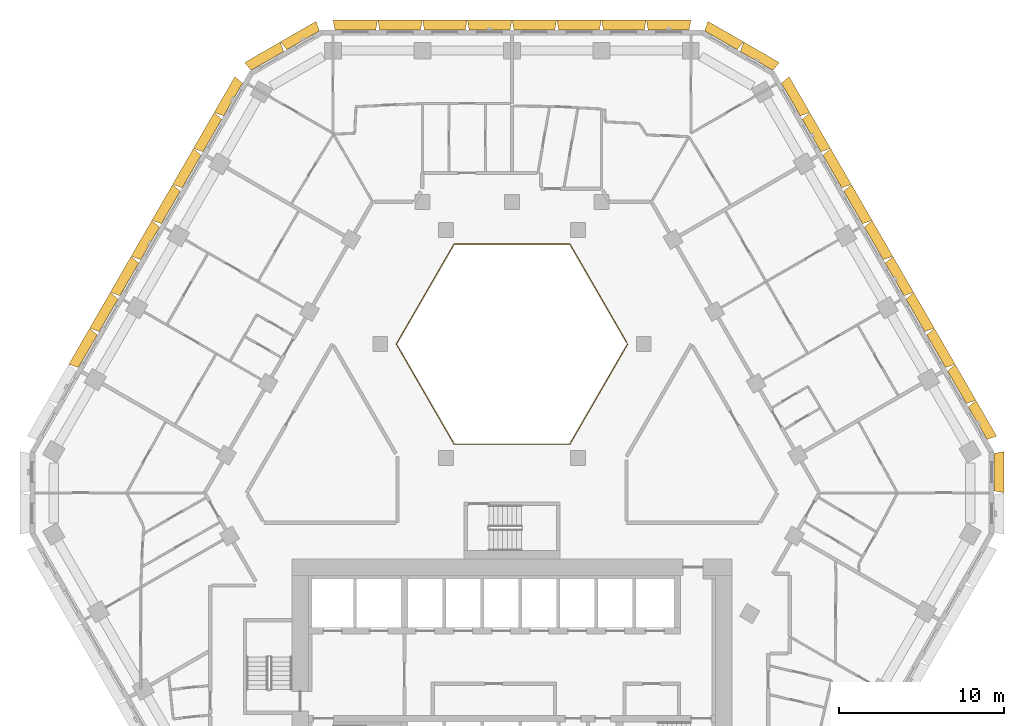
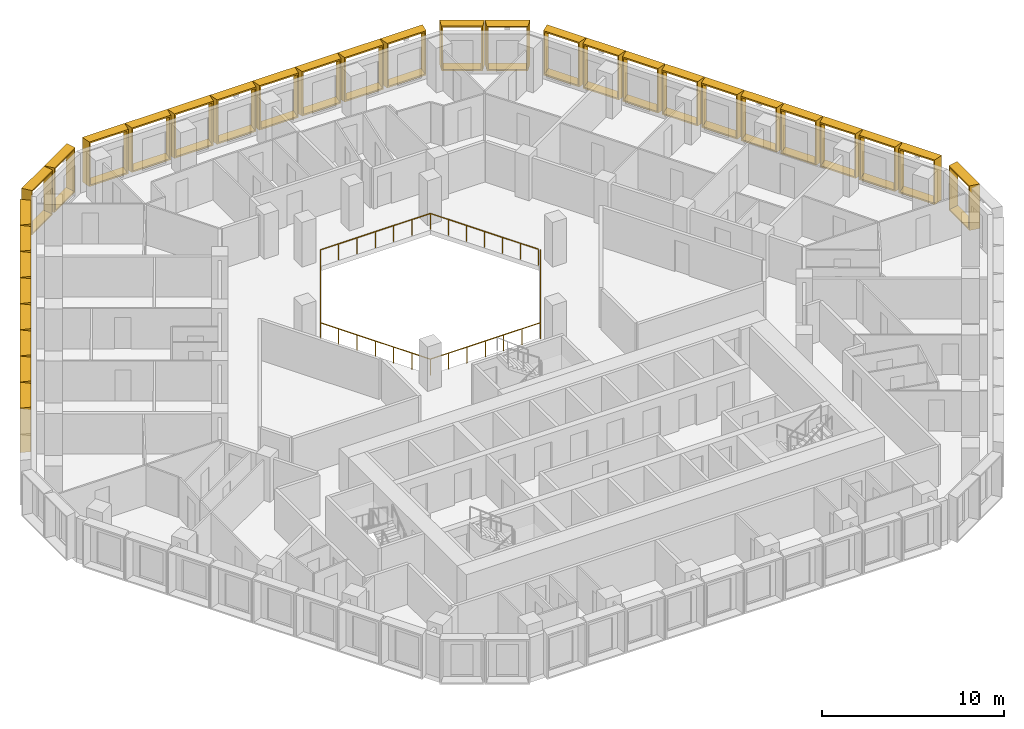
# One storey, part 18 of 18: 31 shading devices, 1 railing.
"""IFC4 building model written with IfcOpenShell, lengths in metres."""

from ifc_helpers import new_model, entity, si_unit, direction, frame, origin, origin_2d, place, context, subcontext, project, spatial, rectangle, extrude, source, transform, mapped, material, type_object, type_shapes, element, save


model = new_model("IFC4")

# Units and contexts
model_context = context("Model", 3, precision=1e-05, world=origin(), true_north=direction((0.0, 1.0)))
body_context = subcontext(model_context, "Body", "Model", "MODEL_VIEW")
ifc_project = project(units=[si_unit("LENGTHUNIT", "METRE"), si_unit("AREAUNIT", "SQUARE_METRE"), si_unit("VOLUMEUNIT", "CUBIC_METRE"), si_unit("PLANEANGLEUNIT", "RADIAN"), si_unit("MASSUNIT", "GRAM", prefix="KILO")], contexts=[model_context])

# Site, building, storey
site_placement = place(None, origin())
site = spatial("IfcSite", under=ifc_project, at=site_placement, CompositionType="ELEMENT")
building_placement = place(site_placement, origin())
building = spatial("IfcBuilding", under=site, at=building_placement, Name="Beryl Residences", CompositionType="ELEMENT")
storey_placement = place(building_placement, frame((0.0, 0.0, 81.0)))
storey = spatial("IfcBuildingStorey", under=building, at=storey_placement, Name="L24", CompositionType="ELEMENT", Elevation=81.0)

# Railing
ifc_material_1 = material(Name="Stainless steel balustrade with glass infill", Category="steel")
railing_type = type_object("IfcRailingType", Name="EG1 edge guard 1100 mm", PredefinedType="GUARDRAIL", material=ifc_material_1)
railing_placement = place(storey_placement, frame((6.9970703125, 8.0, 0.0)))
element("IfcRailing", 1, at=railing_placement, inside=storey, type_object=railing_type, Name="L24 atrium guard", PredefinedType="GUARDRAIL", context=body_context, shape_type="SweptSolid", body=[
    extrude(rectangle(XDim=0.048095703125, YDim=0.048095703125, at=origin_2d()), frame((0.0, 0.0, 1.076171875), z_axis=(-0.499921796684, -0.866070549782, 0.0), x_axis=(0.866070549782, -0.499921796684, 0.0)), (0.0, 0.0, 1.0), 6.9970703125),
    extrude(rectangle(XDim=0.048095703125, YDim=0.048095703125, at=origin_2d()), frame((-3.498046875, -6.06005859375, 1.076171875), z_axis=(-1.0, 0.0, 0.0), x_axis=(0.0, -1.0, 0.0)), (0.0, 0.0, 1.0), 6.998046875),
    extrude(rectangle(XDim=0.048095703125, YDim=0.048095703125, at=origin_2d()), frame((-10.49609375, -6.06005859375, 1.076171875), z_axis=(-0.499921796684, 0.866070549782, 0.0), x_axis=(-0.866070549782, -0.499921796684, 0.0)), (0.0, 0.0, 1.0), 6.9970703125),
    extrude(rectangle(XDim=0.048095703125, YDim=0.048095703125, at=origin_2d()), frame((-13.994140625, 0.0, 1.076171875), z_axis=(0.499921796684, 0.866070549782, 0.0), x_axis=(-0.866070549782, 0.499921796684, 0.0)), (0.0, 0.0, 1.0), 6.9970703125),
    extrude(rectangle(XDim=0.048095703125, YDim=0.048095703125, at=origin_2d()), frame((-10.49609375, 6.06005859375, 1.076171875), z_axis=(1.0, 0.0, 0.0), x_axis=(0.0, 1.0, 0.0)), (0.0, 0.0, 1.0), 6.998046875),
    extrude(rectangle(XDim=0.048095703125, YDim=0.048095703125, at=origin_2d()), frame((-3.498046875, 6.06005859375, 1.076171875), z_axis=(0.499919131929, -0.866072087953, 0.0), x_axis=(0.866072087953, 0.499919131929, 0.0)), (0.0, 0.0, 1.0), 6.877197265625),
    extrude(rectangle(XDim=0.0419921875, YDim=0.0419921875, at=origin_2d()), origin(), (0.0, 0.0, 1.0), 1.052001953125),
    extrude(rectangle(XDim=0.0419921875, YDim=0.0419921875, at=origin_2d()), frame((-0.5830078125, -1.010009765625, 0.0)), (0.0, 0.0, 1.0), 1.052001953125),
    extrude(rectangle(XDim=0.0419921875, YDim=0.0419921875, at=origin_2d()), frame((-1.166015625, -2.02001953125, 0.0)), (0.0, 0.0, 1.0), 1.052001953125),
    extrude(rectangle(XDim=0.0419921875, YDim=0.0419921875, at=origin_2d()), frame((-1.7490234375, -3.030029296875, 0.0)), (0.0, 0.0, 1.0), 1.052001953125),
    extrude(rectangle(XDim=0.0419921875, YDim=0.0419921875, at=origin_2d()), frame((-2.33203125, -4.0400390625, 0.0)), (0.0, 0.0, 1.0), 1.052001953125),
    extrude(rectangle(XDim=0.0419921875, YDim=0.0419921875, at=origin_2d()), frame((-2.9150390625, -5.050048828125, 0.0)), (0.0, 0.0, 1.0), 1.052001953125),
    extrude(rectangle(XDim=0.0419921875, YDim=0.0419921875, at=origin_2d()), frame((-3.498046875, -6.06005859375, 0.0)), (0.0, 0.0, 1.0), 1.052001953125),
    extrude(rectangle(XDim=0.0419921875, YDim=0.0419921875, at=origin_2d()), frame((-4.664306640625, -6.06005859375, 0.0)), (0.0, 0.0, 1.0), 1.052001953125),
    extrude(rectangle(XDim=0.0419921875, YDim=0.0419921875, at=origin_2d()), frame((-5.830810546875, -6.06005859375, 0.0)), (0.0, 0.0, 1.0), 1.052001953125),
    extrude(rectangle(XDim=0.0419921875, YDim=0.0419921875, at=origin_2d()), frame((-6.9970703125, -6.06005859375, 0.0)), (0.0, 0.0, 1.0), 1.052001953125),
    extrude(rectangle(XDim=0.0419921875, YDim=0.0419921875, at=origin_2d()), frame((-8.163330078125, -6.06005859375, 0.0)), (0.0, 0.0, 1.0), 1.052001953125),
    extrude(rectangle(XDim=0.0419921875, YDim=0.0419921875, at=origin_2d()), frame((-9.329833984375, -6.06005859375, 0.0)), (0.0, 0.0, 1.0), 1.052001953125),
    extrude(rectangle(XDim=0.0419921875, YDim=0.0419921875, at=origin_2d()), frame((-10.49609375, -6.06005859375, 0.0)), (0.0, 0.0, 1.0), 1.052001953125),
    extrude(rectangle(XDim=0.0419921875, YDim=0.0419921875, at=origin_2d()), frame((-11.0791015625, -5.050048828125, 0.0)), (0.0, 0.0, 1.0), 1.052001953125),
    extrude(rectangle(XDim=0.0419921875, YDim=0.0419921875, at=origin_2d()), frame((-11.662109375, -4.0400390625, 0.0)), (0.0, 0.0, 1.0), 1.052001953125),
    extrude(rectangle(XDim=0.0419921875, YDim=0.0419921875, at=origin_2d()), frame((-12.2451171875, -3.030029296875, 0.0)), (0.0, 0.0, 1.0), 1.052001953125),
    extrude(rectangle(XDim=0.0419921875, YDim=0.0419921875, at=origin_2d()), frame((-12.828125, -2.02001953125, 0.0)), (0.0, 0.0, 1.0), 1.052001953125),
    extrude(rectangle(XDim=0.0419921875, YDim=0.0419921875, at=origin_2d()), frame((-13.4111328125, -1.010009765625, 0.0)), (0.0, 0.0, 1.0), 1.052001953125),
    extrude(rectangle(XDim=0.0419921875, YDim=0.0419921875, at=origin_2d()), frame((-13.994140625, 0.0, 0.0)), (0.0, 0.0, 1.0), 1.052001953125),
    extrude(rectangle(XDim=0.0419921875, YDim=0.0419921875, at=origin_2d()), frame((-13.4111328125, 1.010009765625, 0.0)), (0.0, 0.0, 1.0), 1.052001953125),
    extrude(rectangle(XDim=0.0419921875, YDim=0.0419921875, at=origin_2d()), frame((-12.828125, 2.02001953125, 0.0)), (0.0, 0.0, 1.0), 1.052001953125),
    extrude(rectangle(XDim=0.0419921875, YDim=0.0419921875, at=origin_2d()), frame((-12.2451171875, 3.030029296875, 0.0)), (0.0, 0.0, 1.0), 1.052001953125),
    extrude(rectangle(XDim=0.0419921875, YDim=0.0419921875, at=origin_2d()), frame((-11.662109375, 4.0400390625, 0.0)), (0.0, 0.0, 1.0), 1.052001953125),
    extrude(rectangle(XDim=0.0419921875, YDim=0.0419921875, at=origin_2d()), frame((-11.0791015625, 5.050048828125, 0.0)), (0.0, 0.0, 1.0), 1.052001953125),
    extrude(rectangle(XDim=0.0419921875, YDim=0.0419921875, at=origin_2d()), frame((-10.49609375, 6.06005859375, 0.0)), (0.0, 0.0, 1.0), 1.052001953125),
    extrude(rectangle(XDim=0.0419921875, YDim=0.0419921875, at=origin_2d()), frame((-9.329833984375, 6.06005859375, 0.0)), (0.0, 0.0, 1.0), 1.052001953125),
    extrude(rectangle(XDim=0.0419921875, YDim=0.0419921875, at=origin_2d()), frame((-8.163330078125, 6.06005859375, 0.0)), (0.0, 0.0, 1.0), 1.052001953125),
    extrude(rectangle(XDim=0.0419921875, YDim=0.0419921875, at=origin_2d()), frame((-6.9970703125, 6.06005859375, 0.0)), (0.0, 0.0, 1.0), 1.052001953125),
    extrude(rectangle(XDim=0.0419921875, YDim=0.0419921875, at=origin_2d()), frame((-5.830810546875, 6.06005859375, 0.0)), (0.0, 0.0, 1.0), 1.052001953125),
    extrude(rectangle(XDim=0.0419921875, YDim=0.0419921875, at=origin_2d()), frame((-4.664306640625, 6.06005859375, 0.0)), (0.0, 0.0, 1.0), 1.052001953125),
    extrude(rectangle(XDim=0.0419921875, YDim=0.0419921875, at=origin_2d()), frame((-3.498046875, 6.06005859375, 0.0)), (0.0, 0.0, 1.0), 1.052001953125),
    extrude(rectangle(XDim=0.0419921875, YDim=0.0419921875, at=origin_2d()), frame((-2.925048828125, 5.0673828125, 0.0)), (0.0, 0.0, 1.0), 1.052001953125),
    extrude(rectangle(XDim=0.0419921875, YDim=0.0419921875, at=origin_2d()), frame((-2.35205078125, 4.07470703125, 0.0)), (0.0, 0.0, 1.0), 1.052001953125),
    extrude(rectangle(XDim=0.0419921875, YDim=0.0419921875, at=origin_2d()), frame((-1.779052734375, 3.08203125, 0.0)), (0.0, 0.0, 1.0), 1.052001953125),
    extrude(rectangle(XDim=0.0419921875, YDim=0.0419921875, at=origin_2d()), frame((-1.2060546875, 2.08935546875, 0.0)), (0.0, 0.0, 1.0), 1.052001953125),
    extrude(rectangle(XDim=0.0419921875, YDim=0.0419921875, at=origin_2d()), frame((-0.633056640625, 1.0966796875, 0.0)), (0.0, 0.0, 1.0), 1.052001953125),
    extrude(rectangle(XDim=0.0419921875, YDim=0.0419921875, at=origin_2d()), frame((-0.06005859375, 0.10400390625, 0.0)), (0.0, 0.0, 1.0), 1.052001953125),
])

# Shading devices
ifc_material_2 = material(Name="Aluminium pale anodised", Category="aluminium")
shading_device_type_1 = type_object("IfcShadingDeviceType", Name="FR250-60A OUTER SKIN frame 600 mm deep, splay 10/10 deg, 2500 x 3000 mm cell", PredefinedType="USERDEFINED", material=ifc_material_2)
cartesian_point_1 = entity("IfcCartesianPoint", [-1.134033203125, 0.0])
cartesian_point_2 = entity("IfcCartesianPoint", [-1.052734375, 0.10009765625])
cartesian_point_3 = entity("IfcCartesianPoint", [-1.23974609375, 0.0])
cartesian_point_4 = entity("IfcCartesianPoint", [-1.158447265625, 0.10009765625])
shared_shape_1 = source(origin(), body_context, "Body", "SweptSolid", [
    entity("IfcExtrudedAreaSolidTapered", entity("IfcArbitraryProfileDefWithVoids", "AREA", None, entity("IfcPolyline", [cartesian_point_1, entity("IfcCartesianPoint", [1.134033203125, 0.0]), entity("IfcCartesianPoint", [1.134033203125, 3.0]), entity("IfcCartesianPoint", [-1.134033203125, 3.0]), cartesian_point_1]), [entity("IfcPolyline", [cartesian_point_2, entity("IfcCartesianPoint", [1.052734375, 0.10009765625]), entity("IfcCartesianPoint", [1.052734375, 2.89990234375]), entity("IfcCartesianPoint", [-1.052734375, 2.89990234375]), cartesian_point_2])]), entity("IfcAxis2Placement3D", entity("IfcCartesianPoint", [0.0, 0.0, 0.0]), entity("IfcDirection", [0.0, 1.0, 0.0]), entity("IfcDirection", [-1.0, 0.0, 0.0])), entity("IfcDirection", [0.0, 0.0, 1.0]), 0.60009765625, entity("IfcArbitraryProfileDefWithVoids", "AREA", None, entity("IfcPolyline", [cartesian_point_3, entity("IfcCartesianPoint", [1.23974609375, 0.0]), entity("IfcCartesianPoint", [1.23974609375, 3.0]), entity("IfcCartesianPoint", [-1.23974609375, 3.0]), cartesian_point_3]), [entity("IfcPolyline", [cartesian_point_4, entity("IfcCartesianPoint", [1.158447265625, 0.10009765625]), entity("IfcCartesianPoint", [1.158447265625, 2.89990234375]), entity("IfcCartesianPoint", [-1.158447265625, 2.89990234375]), cartesian_point_4])])),
])
type_shapes(shading_device_type_1, [shared_shape_1])
for number, where, z_axis, x_axis, name in (
    (2, (-12.6298828125, 26.375, 0.0), (0.0, 0.0, 1.0), (0.866025403784, 0.5, 0.0), "FR250-60A frame L24 N-NW 1"),
    (3, (-14.7939453125, 25.125, 0.0), (0.0, 0.0, 1.0), (0.866025403784, 0.5, 0.0), "FR250-60A frame L24 N-NW 2"),
    (4, (29.156982421875, 0.25, 0.0), (0.0, 0.0, 1.0), (0.0, -1.0, 0.0), "FR250-60A frame L24 SE-NE 2"),
    (5, (14.7939453125, 25.125, 0.0), (0.0, 0.0, 1.0), (0.866025403784, -0.5, 0.0), "FR250-60A frame L24 NE-N 1"),
    (6, (12.6298828125, 26.375, 0.0), (0.0, 0.0, 1.0), (0.866025403784, -0.5, 0.0), "FR250-60A frame L24 NE-N 2"),
):
    element("IfcShadingDevice", number, at=place(storey_placement, frame(where, z_axis=z_axis, x_axis=x_axis)), inside=storey, type_object=shading_device_type_1, Name=name, ObjectType="OUTER SKIN", PredefinedType="USERDEFINED", context=body_context, shape_type="MappedRepresentation", body=[
        mapped(shared_shape_1, transform((0.0, 0.0, 0.0))),
    ])
ifc_material_3 = material(Name="Aluminium pale anodised", Category="aluminium")
shading_device_type_2 = type_object("IfcShadingDeviceType", Name="FR251-60A OUTER SKIN frame 600 mm deep, splay 10/10 deg, 2510 x 3000 mm cell", PredefinedType="USERDEFINED", material=ifc_material_3)
cartesian_point_5 = entity("IfcCartesianPoint", [-1.138916015625, 0.0])
cartesian_point_6 = entity("IfcCartesianPoint", [-1.057861328125, 0.10009765625])
cartesian_point_7 = entity("IfcCartesianPoint", [-1.244873046875, 0.0])
cartesian_point_8 = entity("IfcCartesianPoint", [-1.16357421875, 0.10009765625])
shared_shape_2 = source(origin(), body_context, "Body", "SweptSolid", [
    entity("IfcExtrudedAreaSolidTapered", entity("IfcArbitraryProfileDefWithVoids", "AREA", None, entity("IfcPolyline", [cartesian_point_5, entity("IfcCartesianPoint", [1.138916015625, 0.0]), entity("IfcCartesianPoint", [1.138916015625, 3.0]), entity("IfcCartesianPoint", [-1.138916015625, 3.0]), cartesian_point_5]), [entity("IfcPolyline", [cartesian_point_6, entity("IfcCartesianPoint", [1.057861328125, 0.10009765625]), entity("IfcCartesianPoint", [1.057861328125, 2.89990234375]), entity("IfcCartesianPoint", [-1.057861328125, 2.89990234375]), cartesian_point_6])]), entity("IfcAxis2Placement3D", entity("IfcCartesianPoint", [0.0, 0.0, 0.0]), entity("IfcDirection", [0.0, 1.0, 0.0]), entity("IfcDirection", [-1.0, 0.0, 0.0])), entity("IfcDirection", [0.0, 0.0, 1.0]), 0.60009765625, entity("IfcArbitraryProfileDefWithVoids", "AREA", None, entity("IfcPolyline", [cartesian_point_7, entity("IfcCartesianPoint", [1.244873046875, 0.0]), entity("IfcCartesianPoint", [1.244873046875, 3.0]), entity("IfcCartesianPoint", [-1.244873046875, 3.0]), cartesian_point_7]), [entity("IfcPolyline", [cartesian_point_8, entity("IfcCartesianPoint", [1.16357421875, 0.10009765625]), entity("IfcCartesianPoint", [1.16357421875, 2.89990234375]), entity("IfcCartesianPoint", [-1.16357421875, 2.89990234375]), cartesian_point_8])])),
])
type_shapes(shading_device_type_2, [shared_shape_2])
for number, where, z_axis, x_axis, name in (
    (7, (-16.865966796875, 22.7880859375, 0.0), (0.0, 0.0, 1.0), (0.5, 0.866025403784, 0.0), "FR251-60A frame L24 NW 1"),
    (8, (-18.1220703125, 20.613037109375, 0.0), (0.0, 0.0, 1.0), (0.5, 0.866025403784, 0.0), "FR251-60A frame L24 NW 2"),
    (9, (-19.376953125, 18.43798828125, 0.0), (0.0, 0.0, 1.0), (0.5, 0.866025403784, 0.0), "FR251-60A frame L24 NW 3"),
    (10, (-20.633056640625, 16.262939453125, 0.0), (0.0, 0.0, 1.0), (0.5, 0.866025403784, 0.0), "FR251-60A frame L24 NW 4"),
    (11, (-21.888916015625, 14.087890625, 0.0), (0.0, 0.0, 1.0), (0.5, 0.866025403784, 0.0), "FR251-60A frame L24 NW 5"),
    (12, (-23.14501953125, 11.9130859375, 0.0), (0.0, 0.0, 1.0), (0.5, 0.866025403784, 0.0), "FR251-60A frame L24 NW 6"),
    (13, (-24.39990234375, 9.738037109375, 0.0), (0.0, 0.0, 1.0), (0.5, 0.866025403784, 0.0), "FR251-60A frame L24 NW 7"),
    (14, (-25.656005859375, 7.56298828125, 0.0), (0.0, 0.0, 1.0), (0.5, 0.866025403784, 0.0), "FR251-60A frame L24 NW 8"),
    (15, (28.16796875, 3.2119140625, 0.0), (0.0, 0.0, 1.0), (0.5, -0.866025403784, 0.0), "FR251-60A frame L24 NE 1"),
    (16, (26.912109375, 5.386962890625, 0.0), (0.0, 0.0, 1.0), (0.5, -0.866025403784, 0.0), "FR251-60A frame L24 NE 2"),
    (17, (25.656982421875, 7.56201171875, 0.0), (0.0, 0.0, 1.0), (0.5, -0.866025403784, 0.0), "FR251-60A frame L24 NE 3"),
    (18, (24.40087890625, 9.737060546875, 0.0), (0.0, 0.0, 1.0), (0.5, -0.866025403784, 0.0), "FR251-60A frame L24 NE 4"),
    (19, (23.14501953125, 11.912109375, 0.0), (0.0, 0.0, 1.0), (0.5, -0.866025403784, 0.0), "FR251-60A frame L24 NE 5"),
    (20, (21.888916015625, 14.0869140625, 0.0), (0.0, 0.0, 1.0), (0.5, -0.866025403784, 0.0), "FR251-60A frame L24 NE 6"),
    (21, (20.634033203125, 16.261962890625, 0.0), (0.0, 0.0, 1.0), (0.5, -0.866025403784, 0.0), "FR251-60A frame L24 NE 7"),
    (22, (19.3779296875, 18.43701171875, 0.0), (0.0, 0.0, 1.0), (0.5, -0.866025403784, 0.0), "FR251-60A frame L24 NE 8"),
    (23, (18.1220703125, 20.612060546875, 0.0), (0.0, 0.0, 1.0), (0.5, -0.866025403784, 0.0), "FR251-60A frame L24 NE 9"),
    (24, (16.865966796875, 22.787109375, 0.0), (0.0, 0.0, 1.0), (0.5, -0.866025403784, 0.0), "FR251-60A frame L24 NE 10"),
):
    element("IfcShadingDevice", number, at=place(storey_placement, frame(where, z_axis=z_axis, x_axis=x_axis)), inside=storey, type_object=shading_device_type_2, Name=name, ObjectType="OUTER SKIN", PredefinedType="USERDEFINED", context=body_context, shape_type="MappedRepresentation", body=[
        mapped(shared_shape_2, transform((0.0, 0.0, 0.0))),
    ])
ifc_material_4 = material(Name="Aluminium pale anodised", Category="aluminium")
shading_device_type_3 = type_object("IfcShadingDeviceType", Name="FR271-60A OUTER SKIN frame 600 mm deep, splay 10/10 deg, 2710 x 3000 mm cell", PredefinedType="USERDEFINED", material=ifc_material_4)
cartesian_point_9 = entity("IfcCartesianPoint", [-1.239013671875, 0.0])
cartesian_point_10 = entity("IfcCartesianPoint", [-1.15771484375, 0.10009765625])
cartesian_point_11 = entity("IfcCartesianPoint", [-1.3447265625, 0.0])
cartesian_point_12 = entity("IfcCartesianPoint", [-1.263671875, 0.10009765625])
shared_shape_3 = source(origin(), body_context, "Body", "SweptSolid", [
    entity("IfcExtrudedAreaSolidTapered", entity("IfcArbitraryProfileDefWithVoids", "AREA", None, entity("IfcPolyline", [cartesian_point_9, entity("IfcCartesianPoint", [1.239013671875, 0.0]), entity("IfcCartesianPoint", [1.239013671875, 3.0]), entity("IfcCartesianPoint", [-1.239013671875, 3.0]), cartesian_point_9]), [entity("IfcPolyline", [cartesian_point_10, entity("IfcCartesianPoint", [1.15771484375, 0.10009765625]), entity("IfcCartesianPoint", [1.15771484375, 2.89990234375]), entity("IfcCartesianPoint", [-1.15771484375, 2.89990234375]), cartesian_point_10])]), entity("IfcAxis2Placement3D", entity("IfcCartesianPoint", [0.0, 0.0, 0.0]), entity("IfcDirection", [0.0, 1.0, 0.0]), entity("IfcDirection", [-1.0, 0.0, 0.0])), entity("IfcDirection", [0.0, 0.0, 1.0]), 0.60009765625, entity("IfcArbitraryProfileDefWithVoids", "AREA", None, entity("IfcPolyline", [cartesian_point_11, entity("IfcCartesianPoint", [1.3447265625, 0.0]), entity("IfcCartesianPoint", [1.3447265625, 3.0]), entity("IfcCartesianPoint", [-1.3447265625, 3.0]), cartesian_point_11]), [entity("IfcPolyline", [cartesian_point_12, entity("IfcCartesianPoint", [1.263671875, 0.10009765625]), entity("IfcCartesianPoint", [1.263671875, 2.89990234375]), entity("IfcCartesianPoint", [-1.263671875, 2.89990234375]), cartesian_point_12])])),
])
type_shapes(shading_device_type_3, [shared_shape_3])
for number, where, z_axis, x_axis, name in (
    (25, (9.471923828125, 27.0, 0.0), (0.0, 0.0, 1.0), (1.0, 0.0, 0.0), "FR271-60A frame L24 N 1"),
    (26, (6.764892578125, 27.0, 0.0), (0.0, 0.0, 1.0), (1.0, 0.0, 0.0), "FR271-60A frame L24 N 2"),
    (27, (4.05908203125, 27.0, 0.0), (0.0, 0.0, 1.0), (1.0, 0.0, 0.0), "FR271-60A frame L24 N 3"),
    (28, (1.35205078125, 27.0, 0.0), (0.0, 0.0, 1.0), (1.0, 0.0, 0.0), "FR271-60A frame L24 N 4"),
    (29, (-1.35400390625, 27.0, 0.0), (0.0, 0.0, 1.0), (1.0, 0.0, 0.0), "FR271-60A frame L24 N 5"),
    (30, (-4.06103515625, 27.0, 0.0), (0.0, 0.0, 1.0), (1.0, 0.0, 0.0), "FR271-60A frame L24 N 6"),
    (31, (-6.76708984375, 27.0, 0.0), (0.0, 0.0, 1.0), (1.0, 0.0, 0.0), "FR271-60A frame L24 N 7"),
    (32, (-9.47412109375, 27.0, 0.0), (0.0, 0.0, 1.0), (1.0, 0.0, 0.0), "FR271-60A frame L24 N 8"),
):
    element("IfcShadingDevice", number, at=place(storey_placement, frame(where, z_axis=z_axis, x_axis=x_axis)), inside=storey, type_object=shading_device_type_3, Name=name, ObjectType="OUTER SKIN", PredefinedType="USERDEFINED", context=body_context, shape_type="MappedRepresentation", body=[
        mapped(shared_shape_3, transform((0.0, 0.0, 0.0))),
    ])

save(model, "model.ifc")
